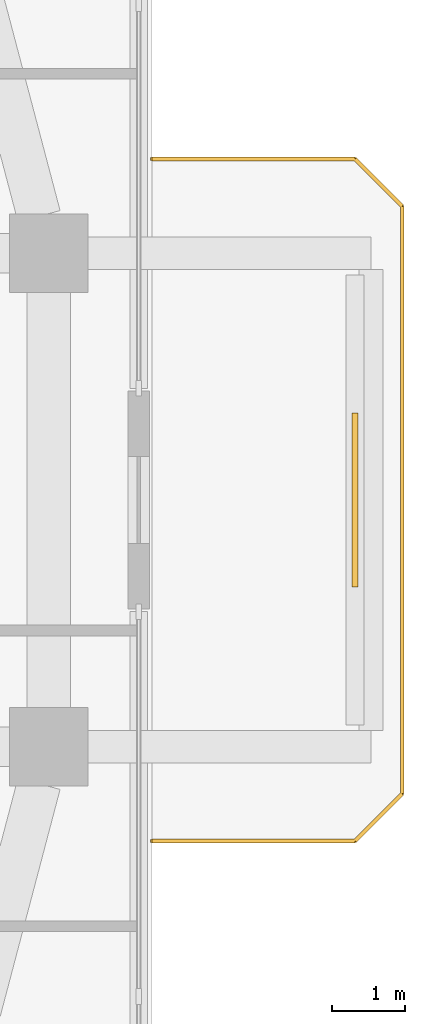
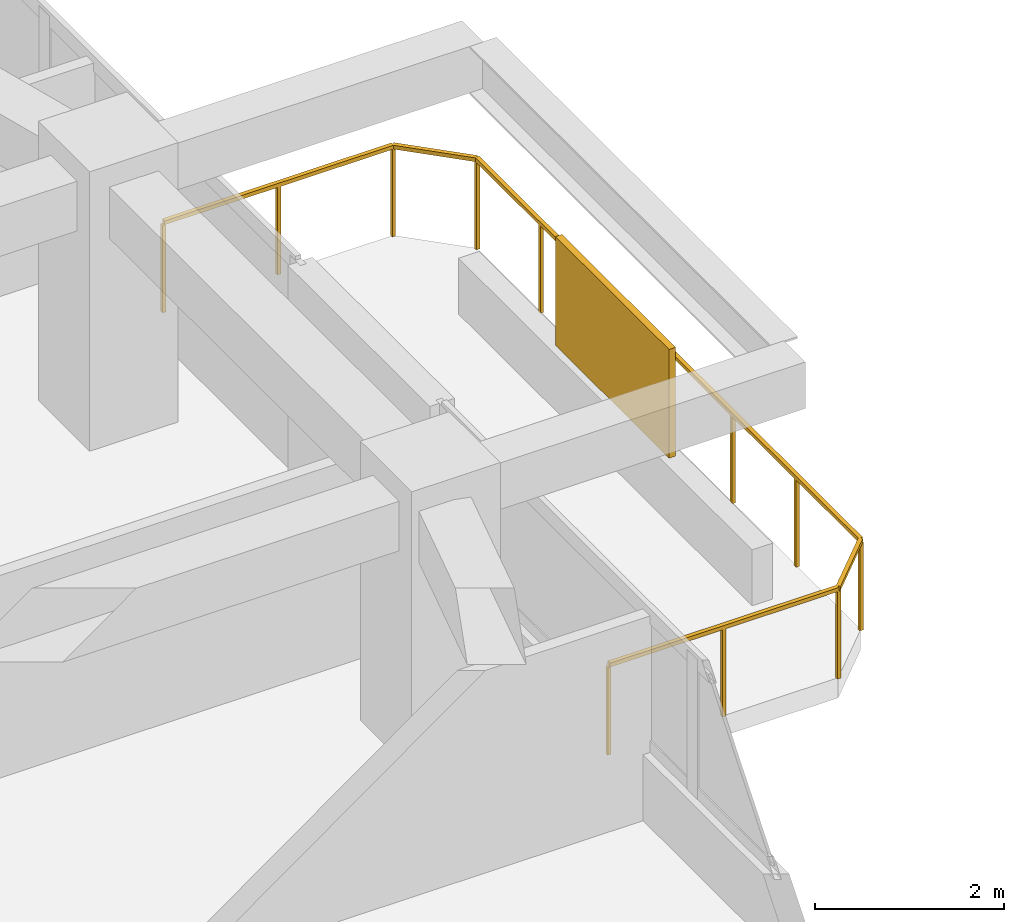
# One storey, part 15 of 15: 1 railing, 1 shading device.
"""IFC4 building model written with IfcOpenShell, lengths in metres."""

from ifc_helpers import new_model, si_unit, derived_unit, direction, frame, origin, origin_2d, place, context, subcontext, project, spatial, rectangle, extrude, material, layer, layer_set, type_object, element, save


model = new_model("IFC4")

# Units and contexts
model_context = context("Model", 3, precision=1e-05, world=origin(), true_north=direction((0.0, 1.0)))
body_context = subcontext(model_context, "Body", "Model", "MODEL_VIEW")
ifc_project = project(units=[si_unit("LENGTHUNIT", "METRE"), si_unit("AREAUNIT", "SQUARE_METRE"), si_unit("VOLUMEUNIT", "CUBIC_METRE"), si_unit("PLANEANGLEUNIT", "RADIAN"), si_unit("MASSUNIT", "GRAM", prefix="KILO"), derived_unit("THERMALTRANSMITTANCEUNIT", [(si_unit("POWERUNIT", "WATT"), 1), (si_unit("LENGTHUNIT", "METRE"), -2), (si_unit("THERMODYNAMICTEMPERATUREUNIT", "KELVIN"), -1)])], contexts=[model_context])

# Site, building, storey
site_placement = place(None, origin())
site = spatial("IfcSite", under=ifc_project, at=site_placement, CompositionType="ELEMENT")
building_placement = place(site_placement, origin())
building = spatial("IfcBuilding", under=site, at=building_placement, Name="Koralith Skygarden Medical Center", CompositionType="ELEMENT")
storey_placement = place(building_placement, frame((0.0, 0.0, 41.93994140625)))
storey = spatial("IfcBuildingStorey", under=building, at=storey_placement, Name="L10", CompositionType="ELEMENT", Elevation=41.93994140625)

# Railing
ifc_material_1 = material(Name="Steel ASTM A500 Grade C", Category="steel")
railing_type = type_object("IfcRailingType", Name="Outdoor Terrace & Balcony Safety Guardrail 1180", PredefinedType="GUARDRAIL", material=ifc_material_1)
railing_placement = place(storey_placement, frame((65.800048828125, 21.199951171875, 0.0)))
element("IfcRailing", 1, at=railing_placement, inside=storey, type_object=railing_type, Name="L10 E Balcony Perimeter Guardrail", PredefinedType="GUARDRAIL", context=body_context, shape_type="SweptSolid", body=[
    extrude(rectangle(XDim=0.050048828125, YDim=0.050048828125, at=origin_2d()), frame((0.001953125, 0.0, 1.15478515625), z_axis=(1.0, 0.0, 0.0), x_axis=(0.0, 1.0, 0.0)), (0.0, 0.0, 1.0), 2.796142578125),
    extrude(rectangle(XDim=0.050048828125, YDim=0.050048828125, at=origin_2d()), frame((2.801513671875, 0.00146484375, 1.15478515625), z_axis=(0.706973978714, 0.707239558722, 0.0), x_axis=(-0.707239558722, 0.706973978714, 0.0)), (0.0, 0.0, 1.0), 0.915283203125),
    extrude(rectangle(XDim=0.050048828125, YDim=0.050048828125, at=origin_2d()), frame((3.449951171875, 0.652099609375, 1.15478515625), z_axis=(0.0, 1.0, 0.0), x_axis=(-1.0, 0.0, 0.0)), (0.0, 0.0, 1.0), 8.095947265625),
    extrude(rectangle(XDim=0.050048828125, YDim=0.050048828125, at=origin_2d()), frame((3.448486328125, 8.75146484375, 1.15478515625), z_axis=(-0.706973978714, 0.707239558722, 0.0), x_axis=(-0.707239558722, -0.706973978714, 0.0)), (0.0, 0.0, 1.0), 0.915283203125),
    extrude(rectangle(XDim=0.050048828125, YDim=0.050048828125, at=origin_2d()), frame((2.798095703125, 9.400146484375, 1.15478515625), z_axis=(-1.0, 0.0, 0.0), x_axis=(0.0, -1.0, 0.0)), (0.0, 0.0, 1.0), 2.796142578125),
    extrude(rectangle(XDim=0.0419921875, YDim=0.0419921875, at=origin_2d()), origin(), (0.0, 0.0, 1.0), 1.1279296875),
    extrude(rectangle(XDim=0.0419921875, YDim=0.0419921875, at=origin_2d()), frame((1.39990234375, 0.0, 0.0)), (0.0, 0.0, 1.0), 1.1279296875),
    extrude(rectangle(XDim=0.0419921875, YDim=0.0419921875, at=origin_2d()), frame((2.800048828125, 0.0, 0.0)), (0.0, 0.0, 1.0), 1.1279296875),
    extrude(rectangle(XDim=0.0419921875, YDim=0.0419921875, at=origin_2d()), frame((3.449951171875, 0.650146484375, 0.0)), (0.0, 0.0, 1.0), 1.1279296875),
    extrude(rectangle(XDim=0.0419921875, YDim=0.0419921875, at=origin_2d()), frame((3.449951171875, 2.0, 0.0)), (0.0, 0.0, 1.0), 1.1279296875),
    extrude(rectangle(XDim=0.0419921875, YDim=0.0419921875, at=origin_2d()), frame((3.449951171875, 3.35009765625, 0.0)), (0.0, 0.0, 1.0), 1.1279296875),
    extrude(rectangle(XDim=0.0419921875, YDim=0.0419921875, at=origin_2d()), frame((3.449951171875, 4.7001953125, 0.0)), (0.0, 0.0, 1.0), 1.1279296875),
    extrude(rectangle(XDim=0.0419921875, YDim=0.0419921875, at=origin_2d()), frame((3.449951171875, 6.050048828125, 0.0)), (0.0, 0.0, 1.0), 1.1279296875),
    extrude(rectangle(XDim=0.0419921875, YDim=0.0419921875, at=origin_2d()), frame((3.449951171875, 7.39990234375, 0.0)), (0.0, 0.0, 1.0), 1.1279296875),
    extrude(rectangle(XDim=0.0419921875, YDim=0.0419921875, at=origin_2d()), frame((3.449951171875, 8.75, 0.0)), (0.0, 0.0, 1.0), 1.1279296875),
    extrude(rectangle(XDim=0.0419921875, YDim=0.0419921875, at=origin_2d()), frame((2.800048828125, 9.400146484375, 0.0)), (0.0, 0.0, 1.0), 1.1279296875),
    extrude(rectangle(XDim=0.0419921875, YDim=0.0419921875, at=origin_2d()), frame((1.39990234375, 9.400146484375, 0.0)), (0.0, 0.0, 1.0), 1.1279296875),
    extrude(rectangle(XDim=0.0419921875, YDim=0.0419921875, at=origin_2d()), frame((0.0, 9.400146484375, 0.0)), (0.0, 0.0, 1.0), 1.1279296875),
])

# Shading device
ifc_material_2 = material(Name="Aluminium 6063-T6", Category="aluminium")
ifc_layer = layer(ifc_material_2, 0.080078125)
ifc_layer_set = layer_set([ifc_layer], Name="Aluminium 6063-T6")
shading_device_type = type_object("IfcShadingDeviceType", Name="Perforated Biophilic Balcony Trellis Screen", PredefinedType="USERDEFINED", material=ifc_layer_set)
shading_device_placement = place(storey_placement, frame((68.60009765625, 25.89990234375, 0.72021484375), z_axis=(0.0, 0.0, 1.0), x_axis=(0.0, 1.0, 0.0)))
element("IfcShadingDevice", 2, at=shading_device_placement, inside=storey, type_object=shading_device_type, Name="L10 E Biophilic Balcony Trellis Screen", ObjectType="HURRICANE SCREEN", PredefinedType="USERDEFINED", context=body_context, shape_type="SweptSolid", body=[
    extrude(rectangle(XDim=2.39990234375, YDim=0.080078125, at=origin_2d()), origin(), (0.0, 0.0, 1.0), 1.39990234375),
])

save(model, "model.ifc")
